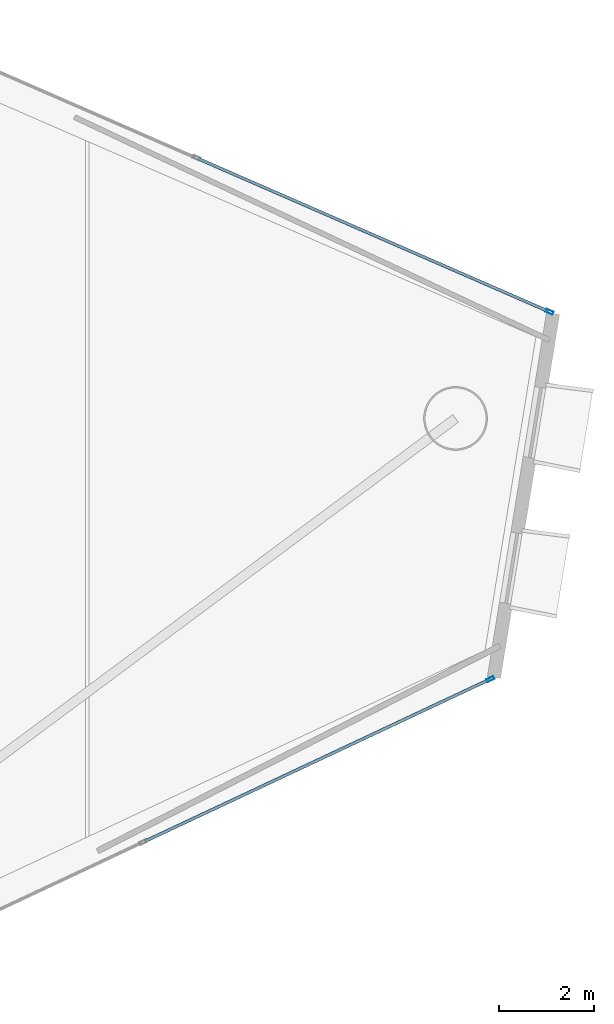
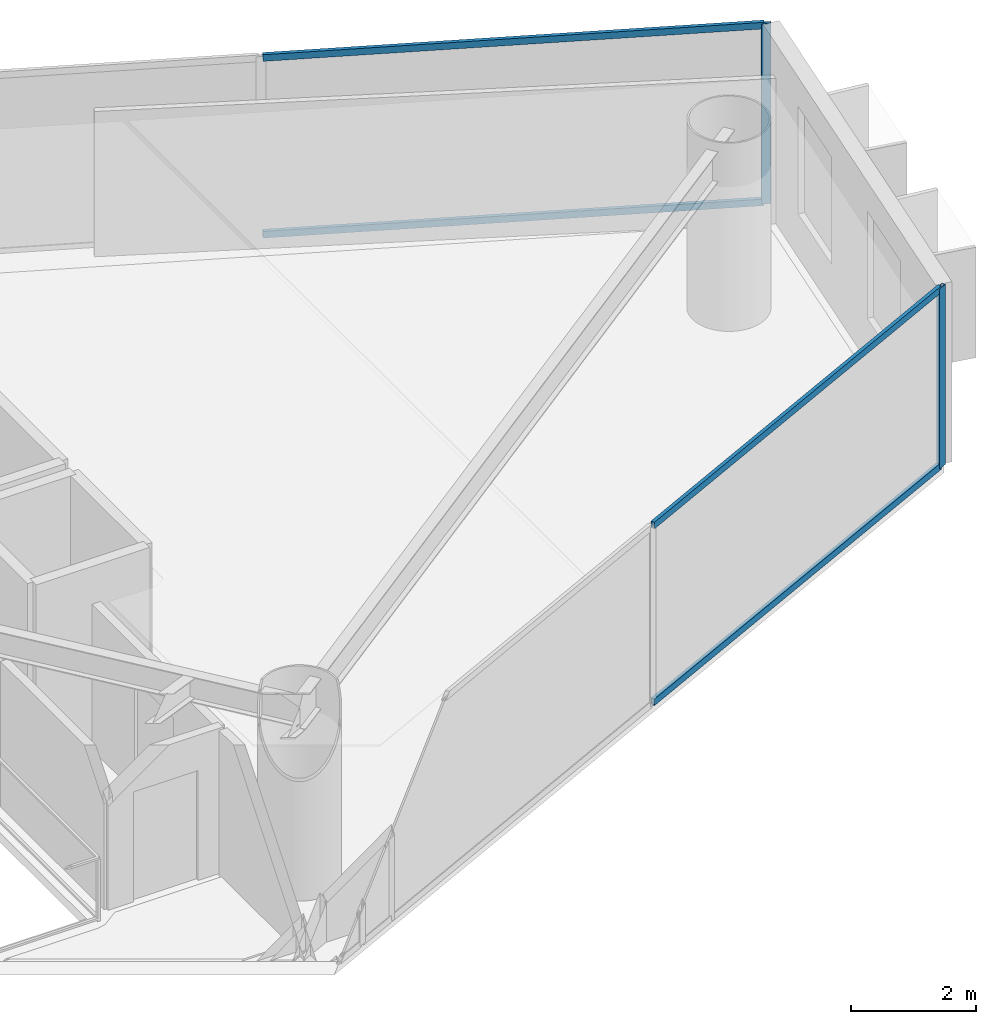
# One storey, part 13 of 20: 6 members, 2 elements without a shape of their own.
"""IFC4 building model written with IfcOpenShell, lengths in metres."""

from ifc_helpers import new_model, si_unit, direction, frame, origin, origin_2d, place, context, subcontext, project, spatial, hollow_rectangle, extrude, material, layer, layer_set, material_profile, profile_set, type_object, element, aggregate, save


model = new_model("IFC4")

# Units and contexts
model_context = context("Model", 3, precision=1e-05, world=origin(), true_north=direction((0.0, 1.0)))
body_context = subcontext(model_context, "Body", "Model", "MODEL_VIEW")
ifc_project = project(units=[si_unit("LENGTHUNIT", "METRE"), si_unit("AREAUNIT", "SQUARE_METRE"), si_unit("VOLUMEUNIT", "CUBIC_METRE"), si_unit("PLANEANGLEUNIT", "RADIAN"), si_unit("MASSUNIT", "GRAM", prefix="KILO")], contexts=[model_context])

# Site, building, storey
site_placement = place(None, origin())
site = spatial("IfcSite", under=ifc_project, at=site_placement, CompositionType="ELEMENT")
building_placement = place(site_placement, origin())
building = spatial("IfcBuilding", under=site, at=building_placement, Name="Qianvela Tower", CompositionType="ELEMENT")
storey_placement = place(building_placement, frame((0.0, 0.0, 151.300048828125)))
storey = spatial("IfcBuildingStorey", under=building, at=storey_placement, Name="L38", CompositionType="ELEMENT", Elevation=151.300048828125)

# Curtain wall, member
ifc_material_1 = material(Name="Anodised Architectural Aluminium and Low-E Glass", Category="aluminium")
ifc_layer = layer(ifc_material_1, 0.169921875)
ifc_layer_set = layer_set([ifc_layer], Name="Anodised Architectural Aluminium and Low-E Glass")
curtain_wall_type = type_object("IfcCurtainWallType", Name="CW-COLIV-Z34", PredefinedType="USERDEFINED", material=ifc_layer_set)
curtain_wall_1_placement = place(storey_placement, origin())
curtain_wall_1 = element("IfcCurtainWall", 1, at=curtain_wall_1_placement, inside=storey, type_object=curtain_wall_type, Name="L38 CW-COLIV-Z34 Curtain Wall 02A", ObjectType="CURTAIN_WALL_SYSTEM", PredefinedType="USERDEFINED")
ifc_material_2 = material(Name="Anodised Architectural Aluminium 6063-T6", Category="aluminium")
ifc_material_profile_1 = material_profile(ifc_material_2, hollow_rectangle(XDim=0.06494140625, YDim=0.159912109375, WallThickness=0.0048828125, at=origin_2d()), Name="ALU-MULL-65x160")
ifc_profile_set_1 = profile_set([ifc_material_profile_1], Name="Anodised Architectural Aluminium 6063-T6")
member_type_1 = type_object("IfcMemberType", Name="CW-COLIV-Z34-MULL", PredefinedType="MULLION", material=ifc_profile_set_1)
member_1_placement = place(storey_placement, frame((59.421630859375, 29.872802734375, 0.0), z_axis=(0.0, 0.0, 1.0), x_axis=(-0.399596358692, -0.916691196707, 0.0)))
member_1 = element("IfcMember", 2, at=member_1_placement, type_object=member_type_1, Name="CW-4 mullion 1", PredefinedType="MULLION", context=body_context, shape_type="SweptSolid", body=[
    extrude(hollow_rectangle(XDim=0.06494140625, YDim=0.159912109375, WallThickness=0.0048828125, at=origin_2d()), origin(), (0.0, 0.0, 1.0), 3.52001953125),
])

curtain_wall_2_placement = place(storey_placement, origin())
curtain_wall_2 = element("IfcCurtainWall", 3, at=curtain_wall_2_placement, inside=storey, type_object=curtain_wall_type, Name="L38 CW-COLIV-Z34 Curtain Wall 06B", ObjectType="CURTAIN_WALL_SYSTEM", PredefinedType="USERDEFINED")
member_2_placement = place(storey_placement, frame((58.172607421875, 22.107666015625, 0.0), z_axis=(0.0, 0.0, 1.0), x_axis=(-0.425035294193, 0.905176777591, 0.0)))
member_2 = element("IfcMember", 4, at=member_2_placement, type_object=member_type_1, Name="CW-4 mullion 4", PredefinedType="MULLION", context=body_context, shape_type="SweptSolid", body=[
    extrude(hollow_rectangle(XDim=0.06494140625, YDim=0.159912109375, WallThickness=0.0048828125, at=origin_2d()), origin(), (0.0, 0.0, 1.0), 3.52001953125),
])

# Member
ifc_material_3 = material(Name="Anodised Architectural Aluminium 6063-T6", Category="aluminium")
ifc_material_profile_2 = material_profile(ifc_material_3, hollow_rectangle(XDim=0.06494140625, YDim=0.1298828125, WallThickness=0.00439453125, at=origin_2d()), Name="ALU-TRAN-65x130")
ifc_profile_set_2 = profile_set([ifc_material_profile_2], Name="Anodised Architectural Aluminium 6063-T6")
member_type_2 = type_object("IfcMemberType", Name="CW-COLIV-Z34-TRAN", PredefinedType="USERDEFINED", material=ifc_profile_set_2)
member_3_placement = place(storey_placement, frame((59.391845703125, 29.8857421875, 0.032470703125), z_axis=(-0.916688583684, 0.399602353025, 0.0), x_axis=(-0.399602353025, -0.916688583684, 0.0)))
member_3 = element("IfcMember", 5, at=member_3_placement, type_object=member_type_2, Name="CW-4 transom 1.1", ObjectType="TRANSOM", PredefinedType="USERDEFINED", context=body_context, shape_type="SweptSolid", body=[
    extrude(hollow_rectangle(XDim=0.06494140625, YDim=0.1298828125, WallThickness=0.00439453125, at=origin_2d()), origin(), (0.0, 0.0, 1.0), 8.077392578125),
])

member_4_placement = place(storey_placement, frame((59.391845703125, 29.8857421875, 3.487548828125), z_axis=(-0.916688583684, 0.399602353025, 0.0), x_axis=(-0.399602353025, -0.916688583684, 0.0)))
member_4 = element("IfcMember", 6, at=member_4_placement, type_object=member_type_2, Name="CW-4 transom 1.2", ObjectType="TRANSOM", PredefinedType="USERDEFINED", context=body_context, shape_type="SweptSolid", body=[
    extrude(hollow_rectangle(XDim=0.06494140625, YDim=0.1298828125, WallThickness=0.00439453125, at=origin_2d()), origin(), (0.0, 0.0, 1.0), 8.077392578125),
])

aggregate(curtain_wall_1, [member_1, member_3, member_4])

member_5_placement = place(storey_placement, frame((50.861083984375, 18.67431640625, 0.032470703125), z_axis=(0.90517738134, 0.425034008416, 0.0), x_axis=(-0.425034008416, 0.90517738134, 0.0)))
member_5 = element("IfcMember", 7, at=member_5_placement, type_object=member_type_2, Name="CW-4 transom 3.1", ObjectType="TRANSOM", PredefinedType="USERDEFINED", context=body_context, shape_type="SweptSolid", body=[
    extrude(hollow_rectangle(XDim=0.06494140625, YDim=0.1298828125, WallThickness=0.00439453125, at=origin_2d()), origin(), (0.0, 0.0, 1.0), 8.045166015625),
])

member_6_placement = place(storey_placement, frame((50.861083984375, 18.67431640625, 3.487548828125), z_axis=(0.90517738134, 0.425034008416, 0.0), x_axis=(-0.425034008416, 0.90517738134, 0.0)))
member_6 = element("IfcMember", 8, at=member_6_placement, type_object=member_type_2, Name="CW-4 transom 3.2", ObjectType="TRANSOM", PredefinedType="USERDEFINED", context=body_context, shape_type="SweptSolid", body=[
    extrude(hollow_rectangle(XDim=0.06494140625, YDim=0.1298828125, WallThickness=0.00439453125, at=origin_2d()), origin(), (0.0, 0.0, 1.0), 8.045166015625),
])

aggregate(curtain_wall_2, [member_2, member_5, member_6])

save(model, "model.ifc")
